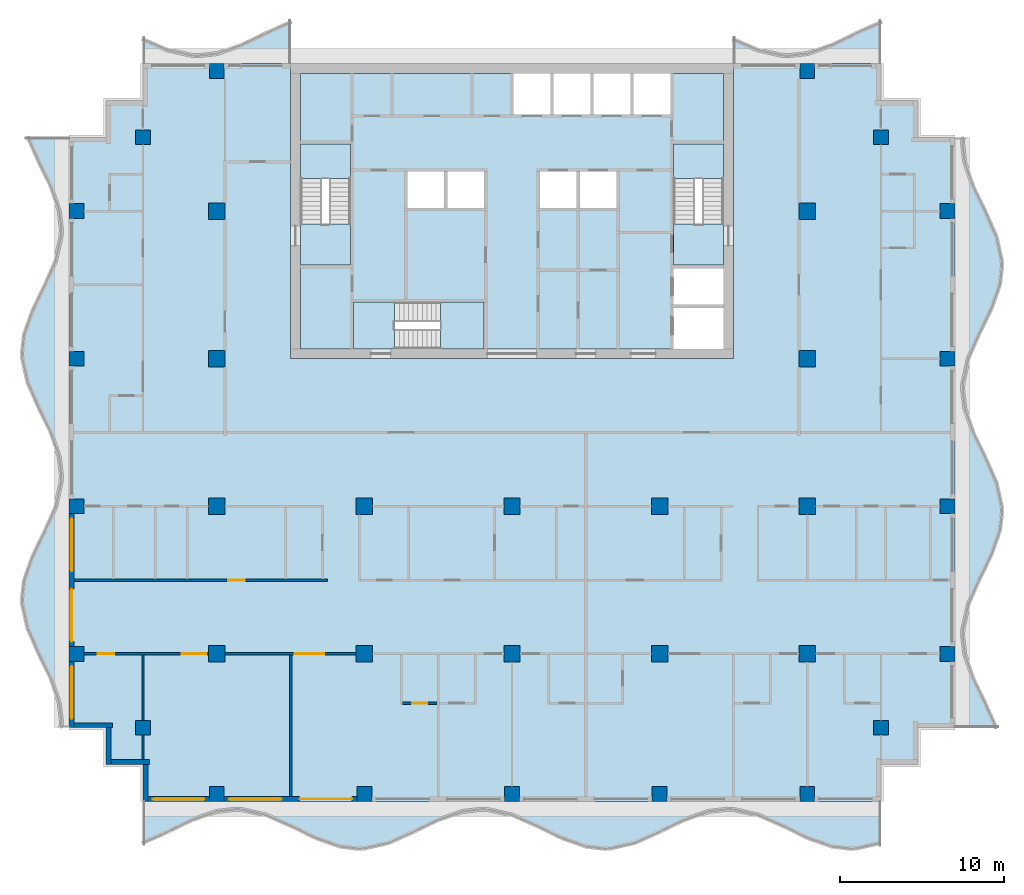
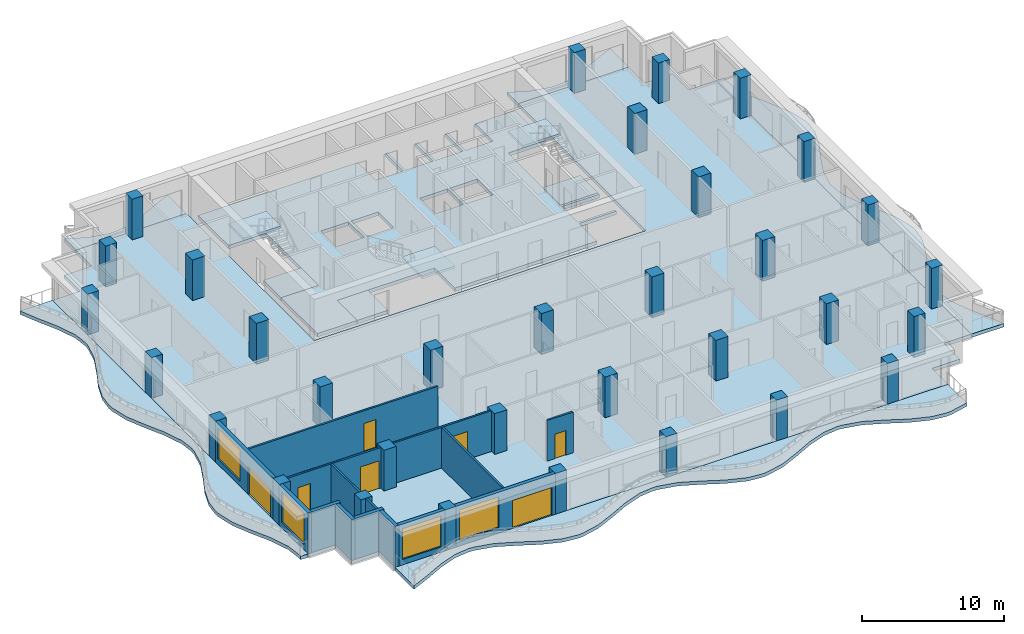
# One storey, part 1 of 11: 33 columns, 15 walls, 13 slabs, 7 doors, 4 windows, 11 openings, 3 elements without a shape of their own.
"""IFC4 building model written with IfcOpenShell, lengths in metres."""

from ifc_helpers import new_model, si_unit, direction, frame, frame_2d, origin, origin_2d, place, context, subcontext, project, spatial, polyline, rectangle, outline, extrude, material, layer, layer_set, material_profile, profile_set, type_object, element, fill, aggregate, save


model = new_model("IFC4")

# Units and contexts
model_context = context("Model", 3, precision=1e-05, world=origin(), true_north=direction((0.0, 1.0)))
body_context = subcontext(model_context, "Body", "Model", "MODEL_VIEW")
ifc_project = project(units=[si_unit("LENGTHUNIT", "METRE"), si_unit("AREAUNIT", "SQUARE_METRE"), si_unit("VOLUMEUNIT", "CUBIC_METRE"), si_unit("PLANEANGLEUNIT", "RADIAN"), si_unit("MASSUNIT", "GRAM", prefix="KILO")], contexts=[model_context])

# Site, building, storey
site_placement = place(None, origin())
site = spatial("IfcSite", under=ifc_project, at=site_placement, CompositionType="ELEMENT")
building_placement = place(site_placement, origin())
building = spatial("IfcBuilding", under=site, at=building_placement, Name="Orbiselva Terraces", CompositionType="ELEMENT")
storey_placement = place(building_placement, frame((0.0, 0.0, 254.0)))
storey = spatial("IfcBuildingStorey", under=building, at=storey_placement, Name="L64", CompositionType="ELEMENT", Elevation=254.0)

# Columns
ifc_material_1 = material(Name="Concrete C50/60", Category="concrete")
ifc_material_profile_1 = material_profile(ifc_material_1, rectangle(XDim=1.0, YDim=1.0, at=origin_2d()), Name="RC 1000x1000")
ifc_profile_set_1 = profile_set([ifc_material_profile_1], Name="Concrete C50/60")
column_type_1 = type_object("IfcColumnType", Name="COLUMN RC 1000x1000", PredefinedType="COLUMN", material=ifc_profile_set_1)
for number, where, z_axis, x_axis, name in (
    (1, (-18.0, -13.5, 0.0), (0.0, 0.0, 1.0), (1.0, 0.0, 0.0), "Column L64-01"),
    (2, (-18.0, -4.5, 0.0), (0.0, 0.0, 1.0), (1.0, 0.0, 0.0), "Column L64-03"),
    (3, (-18.0, 13.5, 0.0), (0.0, 0.0, 1.0), (1.0, 0.0, 0.0), "Column L64-04"),
    (4, (-18.0, 4.5, 0.0), (0.0, 0.0, 1.0), (1.0, 0.0, 0.0), "Column L64-06"),
    (5, (-9.0, -13.5, 0.0), (0.0, 0.0, 1.0), (1.0, 0.0, 0.0), "Column L64-13"),
    (6, (-9.0, -4.5, 0.0), (0.0, 0.0, 1.0), (1.0, 0.0, 0.0), "Column L64-15"),
    (7, (0.0, -13.5, 0.0), (0.0, 0.0, 1.0), (1.0, 0.0, 0.0), "Column L64-16"),
    (8, (0.0, -4.5, 0.0), (0.0, 0.0, 1.0), (1.0, 0.0, 0.0), "Column L64-18"),
    (9, (18.0, -13.5, 0.0), (0.0, 0.0, 1.0), (1.0, 0.0, 0.0), "Column L64-19"),
    (10, (18.0, -4.5, 0.0), (0.0, 0.0, 1.0), (1.0, 0.0, 0.0), "Column L64-21"),
    (11, (18.0, 13.5, 0.0), (0.0, 0.0, 1.0), (1.0, 0.0, 0.0), "Column L64-22"),
    (12, (18.0, 4.5, 0.0), (0.0, 0.0, 1.0), (1.0, 0.0, 0.0), "Column L64-24"),
    (13, (9.0, -13.5, 0.0), (0.0, 0.0, 1.0), (1.0, 0.0, 0.0), "Column L64-31"),
    (14, (9.0, -4.5, 0.0), (0.0, 0.0, 1.0), (1.0, 0.0, 0.0), "Column L64-33"),
):
    element("IfcColumn", number, at=place(storey_placement, frame(where, z_axis=z_axis, x_axis=x_axis)), inside=storey, type_object=column_type_1, Name=name, PredefinedType="COLUMN", context=body_context, shape_type="SweptSolid", body=[
        extrude(rectangle(XDim=1.0, YDim=1.0, at=origin_2d()), origin(), (0.0, 0.0, 1.0), 3.5),
    ])
ifc_material_profile_2 = material_profile(ifc_material_1, rectangle(XDim=0.9, YDim=0.9, at=origin_2d()), Name="RC 900x900")
ifc_profile_set_2 = profile_set([ifc_material_profile_2], Name="Concrete C50/60")
column_type_2 = type_object("IfcColumnType", Name="PERIMETER COLUMN RC 900x900", PredefinedType="COLUMN", material=ifc_profile_set_2)
for number, where, z_axis, x_axis, name in (
    (15, (-18.0, -22.05, 0.0), (0.0, 0.0, 1.0), (1.0, 0.0, 0.0), "Column L64-02"),
    (16, (-18.0, 22.05, 0.0), (0.0, 0.0, 1.0), (1.0, 0.0, 0.0), "Column L64-05"),
    (17, (-26.55, -13.5, 0.0), (0.0, 0.0, 1.0), (1.0, 0.0, 0.0), "Column L64-07"),
    (18, (-22.5, -18.0, 0.0), (0.0, 0.0, 1.0), (1.0, 0.0, 0.0), "Column L64-08"),
    (19, (-26.55, -4.5, 0.0), (0.0, 0.0, 1.0), (1.0, 0.0, 0.0), "Column L64-09"),
    (20, (-26.55, 13.5, 0.0), (0.0, 0.0, 1.0), (1.0, 0.0, 0.0), "Column L64-10"),
    (21, (-22.5, 18.0, 0.0), (0.0, 0.0, 1.0), (1.0, 0.0, 0.0), "Column L64-11"),
    (22, (-26.55, 4.5, 0.0), (0.0, 0.0, 1.0), (1.0, 0.0, 0.0), "Column L64-12"),
    (23, (-9.0, -22.05, 0.0), (0.0, 0.0, 1.0), (1.0, 0.0, 0.0), "Column L64-14"),
    (24, (0.0, -22.05, 0.0), (0.0, 0.0, 1.0), (1.0, 0.0, 0.0), "Column L64-17"),
    (25, (18.0, -22.05, 0.0), (0.0, 0.0, 1.0), (1.0, 0.0, 0.0), "Column L64-20"),
    (26, (18.0, 22.05, 0.0), (0.0, 0.0, 1.0), (1.0, 0.0, 0.0), "Column L64-23"),
    (27, (26.55, -13.5, 0.0), (0.0, 0.0, 1.0), (1.0, 0.0, 0.0), "Column L64-25"),
    (28, (22.5, -18.0, 0.0), (0.0, 0.0, 1.0), (1.0, 0.0, 0.0), "Column L64-26"),
    (29, (26.55, -4.5, 0.0), (0.0, 0.0, 1.0), (1.0, 0.0, 0.0), "Column L64-27"),
    (30, (26.55, 13.5, 0.0), (0.0, 0.0, 1.0), (1.0, 0.0, 0.0), "Column L64-28"),
    (31, (22.5, 18.0, 0.0), (0.0, 0.0, 1.0), (1.0, 0.0, 0.0), "Column L64-29"),
    (32, (26.55, 4.5, 0.0), (0.0, 0.0, 1.0), (1.0, 0.0, 0.0), "Column L64-30"),
    (33, (9.0, -22.05, 0.0), (0.0, 0.0, 1.0), (1.0, 0.0, 0.0), "Column L64-32"),
):
    element("IfcColumn", number, at=place(storey_placement, frame(where, z_axis=z_axis, x_axis=x_axis)), inside=storey, type_object=column_type_2, Name=name, PredefinedType="COLUMN", context=body_context, shape_type="SweptSolid", body=[
        extrude(rectangle(XDim=0.9, YDim=0.9, at=origin_2d()), origin(), (0.0, 0.0, 1.0), 3.5),
    ])

# Slabs
ifc_material_2 = material(Name="Concrete C40/50", Category="concrete")
ifc_layer_1 = layer(ifc_material_2, 0.3)
ifc_layer_set_1 = layer_set([ifc_layer_1], Name="Concrete C40/50")
slab_type_1 = type_object("IfcSlabType", Name="CORE-SLAB-FLOOR-300", PredefinedType="FLOOR", material=ifc_layer_set_1)
slab_1_placement = place(storey_placement, frame((0.0, 0.0, -0.3)))
element("IfcSlab", 34, at=slab_1_placement, inside=storey, type_object=slab_type_1, Name="L64 S1 floor landing", PredefinedType="FLOOR", context=body_context, shape_type="SweptSolid", body=[
    extrude(outline(polyline([(-12.9, 12.7), (-9.85, 12.7), (-9.85, 10.2), (-12.9, 10.2), (-12.9, 12.7)])), origin(), (0.0, 0.0, 1.0), 0.3),
])
slab_2_placement = place(storey_placement, frame((0.0, 0.0, -0.3)))
element("IfcSlab", 35, at=slab_2_placement, inside=storey, type_object=slab_type_1, Name="L64 S2 floor landing", PredefinedType="FLOOR", context=body_context, shape_type="SweptSolid", body=[
    extrude(outline(polyline([(12.9, 12.7), (12.9, 10.2), (9.85, 10.2), (9.85, 12.7), (12.9, 12.7)])), origin(), (0.0, 0.0, 1.0), 0.3),
])
slab_3_placement = place(storey_placement, frame((0.0, 0.0, -0.3)))
element("IfcSlab", 36, at=slab_3_placement, inside=storey, type_object=slab_type_1, Name="L64 S3 floor landing", PredefinedType="FLOOR", context=body_context, shape_type="SweptSolid", body=[
    extrude(outline(polyline([(-7.15, 5.1), (-9.65, 5.1), (-9.65, 7.95), (-7.15, 7.95), (-7.15, 5.1)])), origin(), (0.0, 0.0, 1.0), 0.3),
])
slab_4_placement = place(storey_placement, frame((0.0, 0.0, -0.3)))
element("IfcSlab", 37, at=slab_4_placement, inside=storey, type_object=slab_type_1, Name="L64 core floor slab 1", PredefinedType="FLOOR", context=body_context, shape_type="SweptSolid", body=[
    extrude(outline(polyline([(-1.7, 5.1), (-1.7, 7.95), (-9.65, 7.95), (-9.65, 5.1), (-12.9, 5.1), (-12.9, 10.2), (-9.85, 10.2), (-9.85, 17.6), (-12.9, 17.6), (-12.9, 21.9), (0.1, 21.9), (0.1, 19.4), (2.3375, 19.4), (2.3375, 21.9), (2.5375, 21.9), (2.5375, 19.4), (4.775, 19.4), (4.775, 21.9), (4.975, 21.9), (4.975, 19.4), (7.2125, 19.4), (7.2125, 21.9), (7.4125, 21.9), (7.4125, 19.4), (9.65, 19.4), (9.65, 21.9), (12.9, 21.9), (12.9, 17.6), (9.85, 17.6), (9.85, 10.2), (12.9, 10.2), (12.9, 10.0), (9.85, 10.0), (9.85, 7.8), (12.9, 7.8), (12.9, 7.6), (9.85, 7.6), (9.85, 5.1), (-1.7, 5.1)]), holes=[polyline([(-4.1375, 13.7), (-4.1375, 15.9), (-6.375, 15.9), (-6.375, 13.7), (-4.1375, 13.7)]), polyline([(-1.7, 13.7), (-1.7, 15.9), (-3.9375, 15.9), (-3.9375, 13.7), (-1.7, 13.7)]), polyline([(3.9375, 15.9), (1.7, 15.9), (1.7, 13.7), (3.9375, 13.7), (3.9375, 15.9)]), polyline([(6.375, 13.7), (6.375, 15.9), (4.1375, 15.9), (4.1375, 13.7), (6.375, 13.7)])]), origin(), (0.0, 0.0, 1.0), 0.3),
])

# Stair, slab
stair_type_1 = type_object("IfcStairType", Name="CORE-STAIR-1300", PredefinedType="HALF_TURN_STAIR", material=ifc_material_2)
stair_1_placement = place(storey_placement, origin())
stair_1 = element("IfcStair", 38, at=stair_1_placement, inside=storey, type_object=stair_type_1, Name="L64 Exit Stair S1", PredefinedType="HALF_TURN_STAIR")
ifc_layer_2 = layer(ifc_material_2, 0.2)
ifc_layer_set_2 = layer_set([ifc_layer_2], Name="Concrete C40/50")
slab_type_2 = type_object("IfcSlabType", Name="CORE-STAIR-LANDING-200", PredefinedType="LANDING", material=ifc_layer_set_2)
slab_5_placement = place(storey_placement, frame((0.0, 0.0, 1.7)))
slab_5 = element("IfcSlab", 39, at=slab_5_placement, type_object=slab_type_2, Name="S1 landing 1", PredefinedType="LANDING", context=body_context, shape_type="SweptSolid", body=[
    extrude(outline(polyline([(-9.85, 15.5), (-9.85, 17.6), (-12.9, 17.6), (-12.9, 15.5), (-9.85, 15.5)])), origin(), (0.0, 0.0, 1.0), 0.2),
])
aggregate(stair_1, [slab_5])

stair_2_placement = place(storey_placement, origin())
stair_2 = element("IfcStair", 40, at=stair_2_placement, inside=storey, type_object=stair_type_1, Name="L64 Exit Stair S2", PredefinedType="HALF_TURN_STAIR")
slab_6_placement = place(storey_placement, frame((0.0, 0.0, 1.7)))
slab_6 = element("IfcSlab", 41, at=slab_6_placement, type_object=slab_type_2, Name="S2 landing 1", PredefinedType="LANDING", context=body_context, shape_type="SweptSolid", body=[
    extrude(outline(polyline([(12.9, 15.5), (12.9, 17.6), (9.85, 17.6), (9.85, 15.5), (12.9, 15.5)])), origin(), (0.0, 0.0, 1.0), 0.2),
])
aggregate(stair_2, [slab_6])

stair_type_2 = type_object("IfcStairType", Name="CORE-STAIR-1200", PredefinedType="HALF_TURN_STAIR", material=ifc_material_2)
stair_3_placement = place(storey_placement, origin())
stair_3 = element("IfcStair", 42, at=stair_3_placement, inside=storey, type_object=stair_type_2, Name="L64 Exit Stair S3", PredefinedType="HALF_TURN_STAIR")
slab_7_placement = place(storey_placement, frame((0.0, 0.0, 1.7)))
slab_7 = element("IfcSlab", 43, at=slab_7_placement, type_object=slab_type_2, Name="S3 landing 1", PredefinedType="LANDING", context=body_context, shape_type="SweptSolid", body=[
    extrude(outline(polyline([(-4.35, 5.1), (-1.7, 5.1), (-1.7, 7.95), (-4.35, 7.95), (-4.35, 5.1)])), origin(), (0.0, 0.0, 1.0), 0.2),
])
aggregate(stair_3, [slab_7])

# Slabs
ifc_layer_3 = layer(ifc_material_1, 0.3)
ifc_layer_set_3 = layer_set([ifc_layer_3], Name="Concrete C50/60")
slab_type_3 = type_object("IfcSlabType", Name="ENV-BALCONY-SLAB-300", PredefinedType="FLOOR", material=ifc_layer_set_3)
slab_8_placement = place(storey_placement, frame((0.0, 0.0, -0.3)))
element("IfcSlab", 44, at=slab_8_placement, inside=storey, type_object=slab_type_3, Name="Balcony slab L64 S", PredefinedType="FLOOR", context=body_context, shape_type="SweptSolid", body=[
    extrude(outline(polyline([(-22.5, -25.148528), (-21.0, -24.487721), (-19.5, -23.755211), (-18.0, -23.230792), (-16.875, -23.1), (-16.5, -23.114774), (-15.0, -23.451472), (-13.5, -24.112279), (-12.0, -24.844789), (-10.5, -25.369208), (-9.375, -25.5), (-9.0, -25.485226), (-7.5, -25.148528), (-6.0, -24.487721), (-4.5, -23.755211), (-3.0, -23.230792), (-1.875, -23.1), (-1.5, -23.114774), (0.0, -23.451472), (1.5, -24.112279), (3.0, -24.844789), (4.5, -25.369208), (5.625, -25.5), (6.0, -25.485226), (7.5, -25.148528), (9.0, -24.487721), (10.5, -23.755211), (12.0, -23.230792), (13.125, -23.1), (13.5, -23.114774), (15.0, -23.451472), (16.5, -24.112279), (18.0, -24.844789), (19.5, -25.369208), (20.625, -25.5), (21.0, -25.485226), (22.5, -25.148528), (22.5, -22.5), (-22.5, -22.5), (-22.5, -25.148528)])), origin(), (0.0, 0.0, 1.0), 0.3),
])
slab_9_placement = place(storey_placement, frame((0.0, 0.0, -0.3)))
element("IfcSlab", 45, at=slab_9_placement, inside=storey, type_object=slab_type_3, Name="Balcony slab L64 E", PredefinedType="FLOOR", context=body_context, shape_type="SweptSolid", body=[
    extrude(outline(polyline([(29.648528, -18.0), (28.987721, -16.5), (28.255211, -15.0), (27.730792, -13.5), (27.6, -12.375), (27.614774, -12.0), (27.951472, -10.5), (28.612279, -9.0), (29.344789, -7.5), (29.869208, -6.0), (30.0, -4.875), (29.985226, -4.5), (29.648528, -3.0), (28.987721, -1.5), (28.255211, 0.0), (27.730792, 1.5), (27.6, 2.625), (27.614774, 3.0), (27.951472, 4.5), (28.612279, 6.0), (29.344789, 7.5), (29.869208, 9.0), (30.0, 10.125), (29.985226, 10.5), (29.648528, 12.0), (28.987721, 13.5), (28.255211, 15.0), (27.730792, 16.5), (27.6, 17.625), (27.614774, 18.0), (27.0, 18.0), (27.0, -18.0), (29.648528, -18.0)])), origin(), (0.0, 0.0, 1.0), 0.3),
])
slab_10_placement = place(storey_placement, frame((0.0, 0.0, -0.3)))
element("IfcSlab", 46, at=slab_10_placement, inside=storey, type_object=slab_type_3, Name="Balcony slab L64 NE", PredefinedType="FLOOR", context=body_context, shape_type="SweptSolid", body=[
    extrude(outline(polyline([(22.5, 25.148528), (21.0, 24.487721), (19.5, 23.755211), (18.0, 23.230792), (16.875, 23.1), (16.5, 23.114774), (15.0, 23.451472), (13.5, 24.112279), (13.5, 22.5), (22.5, 22.5), (22.5, 25.148528)])), origin(), (0.0, 0.0, 1.0), 0.3),
])
slab_11_placement = place(storey_placement, frame((0.0, 0.0, -0.3)))
element("IfcSlab", 47, at=slab_11_placement, inside=storey, type_object=slab_type_3, Name="Balcony slab L64 NW", PredefinedType="FLOOR", context=body_context, shape_type="SweptSolid", body=[
    extrude(outline(polyline([(-13.5, 25.148528), (-15.0, 24.487721), (-16.5, 23.755211), (-18.0, 23.230792), (-19.125, 23.1), (-19.5, 23.114774), (-21.0, 23.451472), (-22.5, 24.112279), (-22.5, 22.5), (-13.5, 22.5), (-13.5, 25.148528)])), origin(), (0.0, 0.0, 1.0), 0.3),
])
slab_12_placement = place(storey_placement, frame((0.0, 0.0, -0.3)))
element("IfcSlab", 48, at=slab_12_placement, inside=storey, type_object=slab_type_3, Name="Balcony slab L64 W", PredefinedType="FLOOR", context=body_context, shape_type="SweptSolid", body=[
    extrude(outline(polyline([(-29.648528, 18.0), (-28.987721, 16.5), (-28.255211, 15.0), (-27.730792, 13.5), (-27.6, 12.375), (-27.614774, 12.0), (-27.951472, 10.5), (-28.612279, 9.0), (-29.344789, 7.5), (-29.869208, 6.0), (-30.0, 4.875), (-29.985226, 4.5), (-29.648528, 3.0), (-28.987721, 1.5), (-28.255211, 0.0), (-27.730792, -1.5), (-27.6, -2.625), (-27.614774, -3.0), (-27.951472, -4.5), (-28.612279, -6.0), (-29.344789, -7.5), (-29.869208, -9.0), (-30.0, -10.125), (-29.985226, -10.5), (-29.648528, -12.0), (-28.987721, -13.5), (-28.255211, -15.0), (-27.730792, -16.5), (-27.6, -17.625), (-27.614774, -18.0), (-27.0, -18.0), (-27.0, 18.0), (-29.648528, 18.0)])), origin(), (0.0, 0.0, 1.0), 0.3),
])
ifc_layer_4 = layer(ifc_material_1, 0.3)
ifc_layer_set_4 = layer_set([ifc_layer_4], Name="Concrete C50/60")
slab_type_4 = type_object("IfcSlabType", Name="FLOOR SLAB 300", PredefinedType="FLOOR", material=ifc_layer_set_4)
slab_13_placement = place(storey_placement, frame((0.0, 0.0, -0.3)))
element("IfcSlab", 49, at=slab_13_placement, inside=storey, type_object=slab_type_4, Name="Floor slab L64", PredefinedType="FLOOR", context=body_context, shape_type="SweptSolid", body=[
    extrude(outline(polyline([(22.5, 22.5), (22.5, 20.25), (24.75, 20.25), (24.75, 18.0), (27.0, 18.0), (27.0, -18.0), (24.75, -18.0), (24.75, -20.25), (22.5, -20.25), (22.5, -22.5), (-22.5, -22.5), (-22.5, -20.25), (-24.75, -20.25), (-24.75, -18.0), (-27.0, -18.0), (-27.0, 18.0), (-24.75, 18.0), (-24.75, 20.25), (-22.5, 20.25), (-22.5, 22.5), (-13.5, 22.5), (-13.5, 4.5), (13.5, 4.5), (13.5, 22.5), (22.5, 22.5)])), origin(), (0.0, 0.0, 1.0), 0.3),
])

# Wall, opening, window
ifc_material_3 = material(Name="Terracotta cladding on masonry backing", Category="masonry")
ifc_layer_5 = layer(ifc_material_3, 0.3)
ifc_layer_set_5 = layer_set([ifc_layer_5], Name="Terracotta cladding on masonry backing")
wall_type_1 = type_object("IfcWallType", Name="ENV-WALL-TERRACOTTA-300", PredefinedType="SOLIDWALL", material=ifc_layer_set_5)
wall_1_placement = place(storey_placement, frame((-18.45, -22.35, 0.0), z_axis=(0.0, 0.0, 1.0), x_axis=(-1.0, 0.0, 0.0)))
wall_1 = element("IfcWall", 50, at=wall_1_placement, inside=storey, type_object=wall_type_1, Name="Facade wall L64 S", PredefinedType="SOLIDWALL", context=body_context, shape_type="SweptSolid", body=[
    extrude(rectangle(XDim=3.75, YDim=0.3, at=frame_2d((1.875, 0.0))), origin(), (0.0, 0.0, 1.0), 3.5),
])
opening_1_placement = place(wall_1_placement, frame((0.3, 0.0, 0.45)))
opening_1 = element("IfcOpeningElement", 51, at=opening_1_placement, cuts=wall_1, Name="Opening WN16", PredefinedType="OPENING", context=body_context, shape_type="SweptSolid", body=[
    extrude(rectangle(XDim=3.15, YDim=2.65, at=frame_2d((1.575, 1.325))), frame((0.0, 0.16, 0.0), z_axis=(0.0, -1.0, 0.0), x_axis=(1.0, 0.0, 0.0)), (0.0, 0.0, 1.0), 0.32),
])
ifc_material_4 = material(Name="Clear low-e glazing in aluminium frame", Category="aluminium")
window_type_1 = type_object("IfcWindowType", Name="WINDOW 3150 X 2650 S450", PartitioningType="TRIPLE_PANEL_VERTICAL", PredefinedType="WINDOW", material=ifc_material_4)
window_1_placement = place(opening_1_placement, origin())
window_1 = element("IfcWindow", 52, at=window_1_placement, inside=storey, type_object=window_type_1, Name="Window L64 S", OverallHeight=2.65, OverallWidth=3.15, PartitioningType="SINGLE_PANEL", PredefinedType="WINDOW", context=body_context, shape_type="SweptSolid", body=[
    extrude(rectangle(XDim=3.15, YDim=2.65, at=frame_2d((1.575, 1.325))), frame((0.0, 0.03, 0.0), z_axis=(0.0, -1.0, 0.0), x_axis=(1.0, 0.0, 0.0)), (0.0, 0.0, 1.0), 0.06),
])
fill(opening_1, window_1)

# Wall, openings, door, window
wall_2_placement = place(storey_placement, frame((-9.45, -22.35, 0.0), z_axis=(0.0, 0.0, 1.0), x_axis=(-1.0, 0.0, 0.0)))
wall_2 = element("IfcWall", 53, at=wall_2_placement, inside=storey, type_object=wall_type_1, Name="Facade wall L64 S", PredefinedType="SOLIDWALL", context=body_context, shape_type="SweptSolid", body=[
    extrude(rectangle(XDim=8.1, YDim=0.3, at=frame_2d((4.05, 0.0))), origin(), (0.0, 0.0, 1.0), 3.5),
])
opening_2_placement = place(wall_2_placement, frame((4.6, 0.0, 0.45)))
opening_2 = element("IfcOpeningElement", 54, at=opening_2_placement, cuts=wall_2, Name="Opening WN17", PredefinedType="OPENING", context=body_context, shape_type="SweptSolid", body=[
    extrude(rectangle(XDim=3.2, YDim=2.65, at=frame_2d((1.6, 1.325))), frame((0.0, 0.16, 0.0), z_axis=(0.0, -1.0, 0.0), x_axis=(1.0, 0.0, 0.0)), (0.0, 0.0, 1.0), 0.32),
])
opening_3_placement = place(wall_2_placement, frame((0.3, 0.0, 0.0)))
opening_3 = element("IfcOpeningElement", 55, at=opening_3_placement, cuts=wall_2, Name="Opening Z5-B-E13", PredefinedType="OPENING", context=body_context, shape_type="SweptSolid", body=[
    extrude(rectangle(XDim=3.2, YDim=2.4, at=frame_2d((1.6, 1.2))), frame((0.0, 0.16, 0.0), z_axis=(0.0, -1.0, 0.0), x_axis=(1.0, 0.0, 0.0)), (0.0, 0.0, 1.0), 0.32),
])
door_type_1 = type_object("IfcDoorType", Name="BALCONY DOOR 3200 X 2400", OperationType="DOUBLE_DOOR_SLIDING", PredefinedType="DOOR", material=ifc_material_4)
door_1_placement = place(opening_3_placement, origin())
door_1 = element("IfcDoor", 56, at=door_1_placement, inside=storey, type_object=door_type_1, Name="Z5-B-E13", OperationType="SINGLE_SWING_LEFT", OverallHeight=2.4, OverallWidth=3.2, PredefinedType="DOOR", context=body_context, shape_type="SweptSolid", body=[
    extrude(rectangle(XDim=3.2, YDim=2.4, at=frame_2d((1.6, 1.2))), frame((0.0, 0.025, 0.0), z_axis=(0.0, -1.0, 0.0), x_axis=(1.0, 0.0, 0.0)), (0.0, 0.0, 1.0), 0.05),
])
fill(opening_3, door_1)
window_type_2 = type_object("IfcWindowType", Name="WINDOW 3200 X 2650 S450", PartitioningType="TRIPLE_PANEL_VERTICAL", PredefinedType="WINDOW", material=ifc_material_4)
window_2_placement = place(opening_2_placement, origin())
window_2 = element("IfcWindow", 57, at=window_2_placement, inside=storey, type_object=window_type_2, Name="Window L64 S", OverallHeight=2.65, OverallWidth=3.2, PartitioningType="SINGLE_PANEL", PredefinedType="WINDOW", context=body_context, shape_type="SweptSolid", body=[
    extrude(rectangle(XDim=3.2, YDim=2.65, at=frame_2d((1.6, 1.325))), frame((0.0, 0.03, 0.0), z_axis=(0.0, -1.0, 0.0), x_axis=(1.0, 0.0, 0.0)), (0.0, 0.0, 1.0), 0.06),
])
fill(opening_2, window_2)

wall_3_placement = place(storey_placement, frame((-26.85, -13.05, 0.0), z_axis=(0.0, 0.0, 1.0), x_axis=(0.0, 1.0, 0.0)))
wall_3 = element("IfcWall", 58, at=wall_3_placement, inside=storey, type_object=wall_type_1, Name="Facade wall L64 W", PredefinedType="SOLIDWALL", context=body_context, shape_type="SweptSolid", body=[
    extrude(rectangle(XDim=8.1, YDim=0.3, at=frame_2d((4.05, 0.0))), origin(), (0.0, 0.0, 1.0), 3.5),
])
opening_4_placement = place(wall_3_placement, frame((4.6, 0.0, 0.45)))
opening_4 = element("IfcOpeningElement", 59, at=opening_4_placement, cuts=wall_3, Name="Opening WN17", PredefinedType="OPENING", context=body_context, shape_type="SweptSolid", body=[
    extrude(rectangle(XDim=3.2, YDim=2.65, at=frame_2d((1.6, 1.325))), frame((0.0, 0.16, 0.0), z_axis=(0.0, -1.0, 0.0), x_axis=(1.0, 0.0, 0.0)), (0.0, 0.0, 1.0), 0.32),
])
opening_5_placement = place(wall_3_placement, frame((0.3, 0.0, 0.0)))
opening_5 = element("IfcOpeningElement", 60, at=opening_5_placement, cuts=wall_3, Name="Opening Z5-B-E12", PredefinedType="OPENING", context=body_context, shape_type="SweptSolid", body=[
    extrude(rectangle(XDim=3.2, YDim=2.4, at=frame_2d((1.6, 1.2))), frame((0.0, 0.16, 0.0), z_axis=(0.0, -1.0, 0.0), x_axis=(1.0, 0.0, 0.0)), (0.0, 0.0, 1.0), 0.32),
])
door_2_placement = place(opening_5_placement, origin())
door_2 = element("IfcDoor", 61, at=door_2_placement, inside=storey, type_object=door_type_1, Name="Z5-B-E12", OperationType="SINGLE_SWING_LEFT", OverallHeight=2.4, OverallWidth=3.2, PredefinedType="DOOR", context=body_context, shape_type="SweptSolid", body=[
    extrude(rectangle(XDim=3.2, YDim=2.4, at=frame_2d((1.6, 1.2))), frame((0.0, 0.025, 0.0), z_axis=(0.0, -1.0, 0.0), x_axis=(1.0, 0.0, 0.0)), (0.0, 0.0, 1.0), 0.05),
])
fill(opening_5, door_2)
window_3_placement = place(opening_4_placement, origin())
window_3 = element("IfcWindow", 62, at=window_3_placement, inside=storey, type_object=window_type_2, Name="Window L64 W", OverallHeight=2.65, OverallWidth=3.2, PartitioningType="SINGLE_PANEL", PredefinedType="WINDOW", context=body_context, shape_type="SweptSolid", body=[
    extrude(rectangle(XDim=3.2, YDim=2.65, at=frame_2d((1.6, 1.325))), frame((0.0, 0.03, 0.0), z_axis=(0.0, -1.0, 0.0), x_axis=(1.0, 0.0, 0.0)), (0.0, 0.0, 1.0), 0.06),
])
fill(opening_4, window_3)

# Wall, opening, window
wall_4_placement = place(storey_placement, frame((-26.85, -18.0, 0.0), z_axis=(0.0, 0.0, 1.0), x_axis=(0.0, 1.0, 0.0)))
wall_4 = element("IfcWall", 63, at=wall_4_placement, inside=storey, type_object=wall_type_1, Name="Facade wall L64 W", PredefinedType="SOLIDWALL", context=body_context, shape_type="SweptSolid", body=[
    extrude(rectangle(XDim=4.05, YDim=0.3, at=frame_2d((2.025, 0.0))), origin(), (0.0, 0.0, 1.0), 3.5),
])
opening_6_placement = place(wall_4_placement, frame((0.55, 0.0, 0.45)))
opening_6 = element("IfcOpeningElement", 64, at=opening_6_placement, cuts=wall_4, Name="Opening WN17", PredefinedType="OPENING", context=body_context, shape_type="SweptSolid", body=[
    extrude(rectangle(XDim=3.2, YDim=2.65, at=frame_2d((1.6, 1.325))), frame((0.0, 0.16, 0.0), z_axis=(0.0, -1.0, 0.0), x_axis=(1.0, 0.0, 0.0)), (0.0, 0.0, 1.0), 0.32),
])
window_4_placement = place(opening_6_placement, origin())
window_4 = element("IfcWindow", 65, at=window_4_placement, inside=storey, type_object=window_type_2, Name="Window L64 W", OverallHeight=2.65, OverallWidth=3.2, PartitioningType="SINGLE_PANEL", PredefinedType="WINDOW", context=body_context, shape_type="SweptSolid", body=[
    extrude(rectangle(XDim=3.2, YDim=2.65, at=frame_2d((1.6, 1.325))), frame((0.0, 0.03, 0.0), z_axis=(0.0, -1.0, 0.0), x_axis=(1.0, 0.0, 0.0)), (0.0, 0.0, 1.0), 0.06),
])
fill(opening_6, window_4)

# Walls
wall_5_placement = place(storey_placement, frame((-24.35, -17.85, 0.0), z_axis=(0.0, 0.0, 1.0), x_axis=(-1.0, 0.0, 0.0)))
element("IfcWall", 66, at=wall_5_placement, inside=storey, type_object=wall_type_1, Name="Facade wall L64 STEP", PredefinedType="SOLIDWALL", context=body_context, shape_type="SweptSolid", body=[
    extrude(rectangle(XDim=2.35, YDim=0.3, at=frame_2d((1.175, 0.0))), origin(), (0.0, 0.0, 1.0), 3.5),
])
wall_6_placement = place(storey_placement, frame((-24.6, -20.25, 0.0), z_axis=(0.0, 0.0, 1.0), x_axis=(0.0, 1.0, 0.0)))
element("IfcWall", 67, at=wall_6_placement, inside=storey, type_object=wall_type_1, Name="Facade wall L64 STEP", PredefinedType="SOLIDWALL", context=body_context, shape_type="SweptSolid", body=[
    extrude(rectangle(XDim=2.25, YDim=0.3, at=frame_2d((1.125, 0.0))), origin(), (0.0, 0.0, 1.0), 3.5),
])
wall_7_placement = place(storey_placement, frame((-22.1, -20.1, 0.0), z_axis=(0.0, 0.0, 1.0), x_axis=(-1.0, 0.0, 0.0)))
element("IfcWall", 68, at=wall_7_placement, inside=storey, type_object=wall_type_1, Name="Facade wall L64 STEP", PredefinedType="SOLIDWALL", context=body_context, shape_type="SweptSolid", body=[
    extrude(rectangle(XDim=2.35, YDim=0.3, at=frame_2d((1.175, 0.0))), origin(), (0.0, 0.0, 1.0), 3.5),
])
wall_8_placement = place(storey_placement, frame((-22.35, -22.5, 0.0), z_axis=(0.0, 0.0, 1.0), x_axis=(0.0, 1.0, 0.0)))
element("IfcWall", 69, at=wall_8_placement, inside=storey, type_object=wall_type_1, Name="Facade wall L64 STEP", PredefinedType="SOLIDWALL", context=body_context, shape_type="SweptSolid", body=[
    extrude(rectangle(XDim=2.25, YDim=0.3, at=frame_2d((1.125, 0.0))), origin(), (0.0, 0.0, 1.0), 3.5),
])

# Wall, opening, door
ifc_material_5 = material(Name="Plasterboard on steel stud partition", Category="steel")
ifc_layer_6 = layer(ifc_material_5, 0.15)
ifc_layer_set_6 = layer_set([ifc_layer_6], Name="Plasterboard on steel stud partition")
wall_type_2 = type_object("IfcWallType", Name="UNIT-PARTITION-150", PredefinedType="PARTITIONING", material=ifc_layer_set_6)
wall_9_placement = place(storey_placement, frame((-6.675, -16.5, 0.0), z_axis=(0.0, 0.0, 1.0), x_axis=(1.0, 0.0, 0.0)))
wall_9 = element("IfcWall", 70, at=wall_9_placement, inside=storey, type_object=wall_type_2, Name="PARTITION L64-001", PredefinedType="PARTITIONING", context=body_context, shape_type="SweptSolid", body=[
    extrude(rectangle(XDim=2.1, YDim=0.15, at=frame_2d((1.05, 0.0))), origin(), (0.0, 0.0, 1.0), 3.5),
])
opening_7_placement = place(wall_9_placement, frame((0.6, 0.0, 0.0)))
opening_7 = element("IfcOpeningElement", 71, at=opening_7_placement, cuts=wall_9, Name="Opening Z5-B-27", PredefinedType="OPENING", context=body_context, shape_type="SweptSolid", body=[
    extrude(rectangle(XDim=0.9, YDim=2.1, at=frame_2d((0.45, 1.05))), frame((0.0, 0.085, 0.0), z_axis=(0.0, -1.0, 0.0), x_axis=(1.0, 0.0, 0.0)), (0.0, 0.0, 1.0), 0.17),
])
ifc_material_6 = material(Name="Painted timber door leaf", Category="wood")
door_type_2 = type_object("IfcDoorType", Name="BATH DOOR 900", OperationType="NOTDEFINED", PredefinedType="DOOR", material=ifc_material_6)
door_3_placement = place(opening_7_placement, origin())
door_3 = element("IfcDoor", 72, at=door_3_placement, inside=storey, type_object=door_type_2, Name="Z5-B-27", OperationType="SINGLE_SWING_LEFT", OverallHeight=2.1, OverallWidth=0.9, PredefinedType="DOOR", context=body_context, shape_type="SweptSolid", body=[
    extrude(rectangle(XDim=0.9, YDim=2.1, at=frame_2d((0.45, 1.05))), frame((0.0, 0.025, 0.0), z_axis=(0.0, -1.0, 0.0), x_axis=(1.0, 0.0, 0.0)), (0.0, 0.0, 1.0), 0.05),
])
fill(opening_7, door_3)

# Wall, openings, doors
wall_10_placement = place(storey_placement, frame((-18.5, -13.5, 0.0), z_axis=(0.0, 0.0, 1.0), x_axis=(-1.0, 0.0, 0.0)))
wall_10 = element("IfcWall", 73, at=wall_10_placement, inside=storey, type_object=wall_type_2, Name="PARTITION L64-007", PredefinedType="PARTITIONING", context=body_context, shape_type="SweptSolid", body=[
    extrude(rectangle(XDim=7.6, YDim=0.15, at=frame_2d((3.8, 0.0))), origin(), (0.0, 0.0, 1.0), 3.5),
])
opening_8_placement = place(wall_10_placement, frame((5.75, 0.0, 0.0)))
opening_8 = element("IfcOpeningElement", 74, at=opening_8_placement, cuts=wall_10, Name="Opening Z5-B-24", PredefinedType="OPENING", context=body_context, shape_type="SweptSolid", body=[
    extrude(rectangle(XDim=1.0, YDim=2.4, at=frame_2d((0.5, 1.2))), frame((0.0, 0.085, 0.0), z_axis=(0.0, -1.0, 0.0), x_axis=(1.0, 0.0, 0.0)), (0.0, 0.0, 1.0), 0.17),
])
opening_9_placement = place(wall_10_placement, frame((0.15, 0.0, 0.0)))
opening_9 = element("IfcOpeningElement", 75, at=opening_9_placement, cuts=wall_10, Name="Opening Z5-B-25", PredefinedType="OPENING", context=body_context, shape_type="SweptSolid", body=[
    extrude(rectangle(XDim=1.5, YDim=2.4, at=frame_2d((0.75, 1.2))), frame((0.0, 0.085, 0.0), z_axis=(0.0, -1.0, 0.0), x_axis=(1.0, 0.0, 0.0)), (0.0, 0.0, 1.0), 0.17),
])
door_type_3 = type_object("IfcDoorType", Name="DOUBLE DOOR 1500", OperationType="NOTDEFINED", PredefinedType="DOOR", material=ifc_material_6)
door_4_placement = place(opening_9_placement, origin())
door_4 = element("IfcDoor", 76, at=door_4_placement, inside=storey, type_object=door_type_3, Name="Z5-B-25", OperationType="DOUBLE_DOOR_SINGLE_SWING", OverallHeight=2.4, OverallWidth=1.5, PredefinedType="DOOR", context=body_context, shape_type="SweptSolid", body=[
    extrude(rectangle(XDim=1.5, YDim=2.4, at=frame_2d((0.75, 1.2))), frame((0.0, 0.025, 0.0), z_axis=(0.0, -1.0, 0.0), x_axis=(1.0, 0.0, 0.0)), (0.0, 0.0, 1.0), 0.05),
])
fill(opening_9, door_4)
door_type_4 = type_object("IfcDoorType", Name="ROOM DOOR 1000", OperationType="NOTDEFINED", PredefinedType="DOOR", material=ifc_material_6)
door_5_placement = place(opening_8_placement, origin())
door_5 = element("IfcDoor", 77, at=door_5_placement, inside=storey, type_object=door_type_4, Name="Z5-B-24", OperationType="SINGLE_SWING_RIGHT", OverallHeight=2.4, OverallWidth=1.0, PredefinedType="DOOR", context=body_context, shape_type="SweptSolid", body=[
    extrude(rectangle(XDim=1.0, YDim=2.4, at=frame_2d((0.5, 1.2))), frame((0.0, 0.025, 0.0), z_axis=(0.0, -1.0, 0.0), x_axis=(1.0, 0.0, 0.0)), (0.0, 0.0, 1.0), 0.05),
])
fill(opening_8, door_5)

# Wall, opening, door
wall_11_placement = place(storey_placement, frame((-9.5, -13.5, 0.0), z_axis=(0.0, 0.0, 1.0), x_axis=(-1.0, 0.0, 0.0)))
wall_11 = element("IfcWall", 78, at=wall_11_placement, inside=storey, type_object=wall_type_2, Name="PARTITION L64-008", PredefinedType="PARTITIONING", context=body_context, shape_type="SweptSolid", body=[
    extrude(rectangle(XDim=8.0, YDim=0.15, at=frame_2d((4.0, 0.0))), origin(), (0.0, 0.0, 1.0), 3.5),
])
opening_10_placement = place(wall_11_placement, frame((1.95, 0.0, 0.0)))
opening_10 = element("IfcOpeningElement", 79, at=opening_10_placement, cuts=wall_11, Name="Opening Z5-B-26", PredefinedType="OPENING", context=body_context, shape_type="SweptSolid", body=[
    extrude(rectangle(XDim=1.8, YDim=2.4, at=frame_2d((0.9, 1.2))), frame((0.0, 0.085, 0.0), z_axis=(0.0, -1.0, 0.0), x_axis=(1.0, 0.0, 0.0)), (0.0, 0.0, 1.0), 0.17),
])
door_type_5 = type_object("IfcDoorType", Name="DOUBLE DOOR 1800", OperationType="NOTDEFINED", PredefinedType="DOOR", material=ifc_material_6)
door_6_placement = place(opening_10_placement, origin())
door_6 = element("IfcDoor", 80, at=door_6_placement, inside=storey, type_object=door_type_5, Name="Z5-B-26", OperationType="DOUBLE_DOOR_SINGLE_SWING", OverallHeight=2.4, OverallWidth=1.8, PredefinedType="DOOR", context=body_context, shape_type="SweptSolid", body=[
    extrude(rectangle(XDim=1.8, YDim=2.4, at=frame_2d((0.9, 1.2))), frame((0.0, 0.025, 0.0), z_axis=(0.0, -1.0, 0.0), x_axis=(1.0, 0.0, 0.0)), (0.0, 0.0, 1.0), 0.05),
])
fill(opening_10, door_6)

wall_12_placement = place(storey_placement, frame((-26.7, -9.0, 0.0), z_axis=(0.0, 0.0, 1.0), x_axis=(1.0, 0.0, 0.0)))
wall_12 = element("IfcWall", 81, at=wall_12_placement, inside=storey, type_object=wall_type_2, Name="PARTITION L64-014", PredefinedType="PARTITIONING", context=body_context, shape_type="SweptSolid", body=[
    extrude(rectangle(XDim=15.45, YDim=0.15, at=frame_2d((7.725, 0.0))), origin(), (0.0, 0.0, 1.0), 3.5),
])
opening_11_placement = place(wall_12_placement, frame((9.4, 0.0, 0.0)))
opening_11 = element("IfcOpeningElement", 82, at=opening_11_placement, cuts=wall_12, Name="Opening Z5-B-18", PredefinedType="OPENING", context=body_context, shape_type="SweptSolid", body=[
    extrude(rectangle(XDim=1.0, YDim=2.4, at=frame_2d((0.5, 1.2))), frame((0.0, 0.085, 0.0), z_axis=(0.0, -1.0, 0.0), x_axis=(1.0, 0.0, 0.0)), (0.0, 0.0, 1.0), 0.17),
])
door_7_placement = place(opening_11_placement, origin())
door_7 = element("IfcDoor", 83, at=door_7_placement, inside=storey, type_object=door_type_4, Name="Z5-B-18", OperationType="SINGLE_SWING_RIGHT", OverallHeight=2.4, OverallWidth=1.0, PredefinedType="DOOR", context=body_context, shape_type="SweptSolid", body=[
    extrude(rectangle(XDim=1.0, YDim=2.4, at=frame_2d((0.5, 1.2))), frame((0.0, 0.025, 0.0), z_axis=(0.0, -1.0, 0.0), x_axis=(1.0, 0.0, 0.0)), (0.0, 0.0, 1.0), 0.05),
])
fill(opening_11, door_7)

# Walls
wall_13_placement = place(storey_placement, frame((-22.5, -19.95, 0.0), z_axis=(0.0, 0.0, 1.0), x_axis=(0.0, 1.0, 0.0)))
element("IfcWall", 84, at=wall_13_placement, inside=storey, type_object=wall_type_2, Name="PARTITION L64-042", PredefinedType="PARTITIONING", context=body_context, shape_type="SweptSolid", body=[
    extrude(rectangle(XDim=1.5, YDim=0.15, at=frame_2d((0.75, 0.0))), origin(), (0.0, 0.0, 1.0), 3.5),
])
wall_14_placement = place(storey_placement, frame((-22.5, -17.55, 0.0), z_axis=(0.0, 0.0, 1.0), x_axis=(0.0, 1.0, 0.0)))
element("IfcWall", 85, at=wall_14_placement, inside=storey, type_object=wall_type_2, Name="PARTITION L64-043", PredefinedType="PARTITIONING", context=body_context, shape_type="SweptSolid", body=[
    extrude(rectangle(XDim=3.975, YDim=0.15, at=frame_2d((1.9875, 0.0))), origin(), (0.0, 0.0, 1.0), 3.5),
])
wall_15_placement = place(storey_placement, frame((-13.5, -22.2, 0.0), z_axis=(0.0, 0.0, 1.0), x_axis=(0.0, 1.0, 0.0)))
element("IfcWall", 86, at=wall_15_placement, inside=storey, type_object=wall_type_2, Name="PARTITION L64-053", PredefinedType="PARTITIONING", context=body_context, shape_type="SweptSolid", body=[
    extrude(rectangle(XDim=8.625, YDim=0.15, at=frame_2d((4.3125, 0.0))), origin(), (0.0, 0.0, 1.0), 3.5),
])

save(model, "model.ifc")
